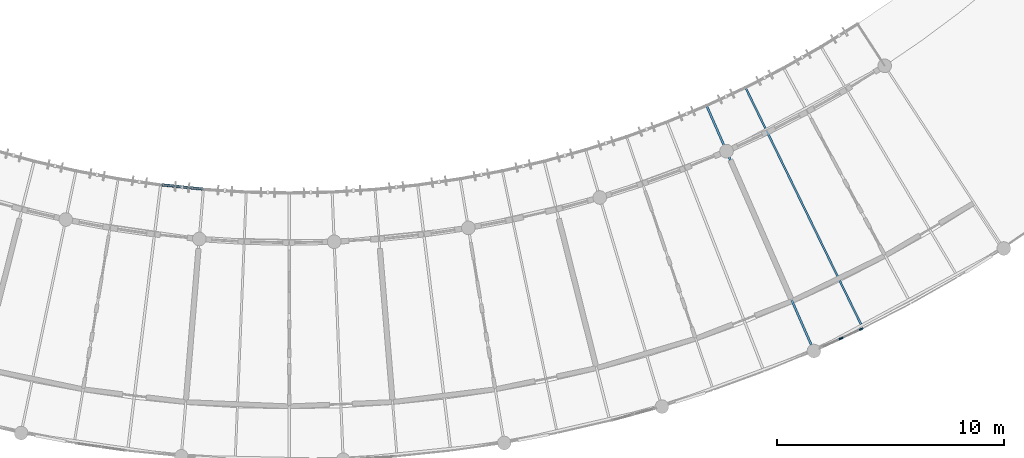
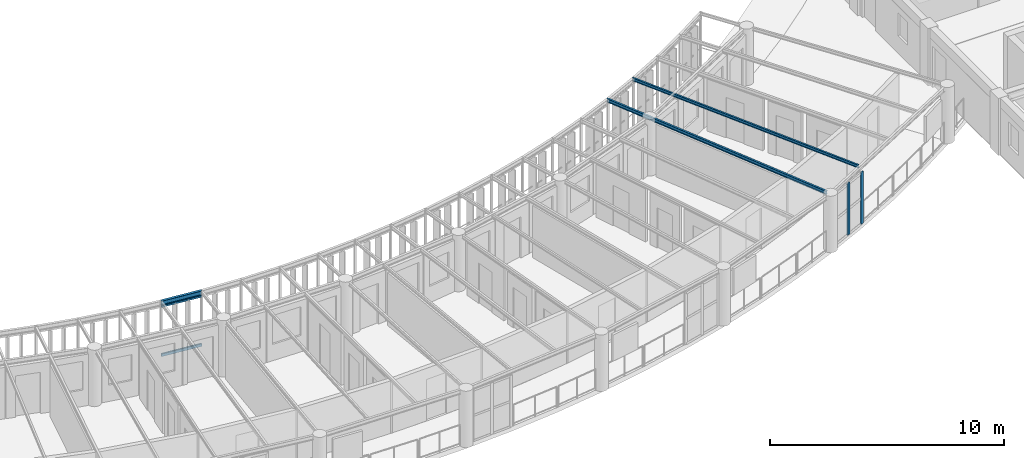
# One storey, part 18 of 101: 4 members, 3 beams, 1 element without a shape of its own.
"""IFC4 building model written with IfcOpenShell, lengths in metres."""

from ifc_helpers import new_model, si_unit, direction, frame, origin, origin_2d, place, context, subcontext, project, spatial, rectangle, hollow_rectangle, i_section, extrude, material, layer, layer_set, material_profile, profile_set, type_object, element, aggregate, save


model = new_model("IFC4")

# Units and contexts
model_context = context("Model", 3, precision=1e-05, world=origin(), true_north=direction((0.0, 1.0)))
body_context = subcontext(model_context, "Body", "Model", "MODEL_VIEW")
ifc_project = project(units=[si_unit("LENGTHUNIT", "METRE"), si_unit("AREAUNIT", "SQUARE_METRE"), si_unit("VOLUMEUNIT", "CUBIC_METRE"), si_unit("PLANEANGLEUNIT", "RADIAN"), si_unit("MASSUNIT", "GRAM", prefix="KILO"), si_unit("POWERUNIT", "WATT"), si_unit("THERMODYNAMICTEMPERATUREUNIT", "KELVIN")], contexts=[model_context])

# Site, building, storey
site_placement = place(None, origin())
site = spatial("IfcSite", under=ifc_project, at=site_placement, CompositionType="ELEMENT")
building_placement = place(site_placement, origin())
building = spatial("IfcBuilding", under=site, at=building_placement, Name="Ruvembo Vaulted Housing Court", CompositionType="ELEMENT")
storey_placement = place(building_placement, frame((0.0, 0.0, 17.300048828125)))
storey = spatial("IfcBuildingStorey", under=building, at=storey_placement, Name="L05", CompositionType="ELEMENT", Elevation=17.300048828125)

# Beams
ifc_material_1 = material(Name="Steel S355J2", Category="steel")
ifc_material_profile_1 = material_profile(ifc_material_1, i_section(OverallWidth=0.08203125, OverallDepth=0.159912109375, WebThickness=0.0048828125, FlangeThickness=0.00732421875, FilletRadius=0.009033203125, at=origin_2d()), Name="IPE 160")
ifc_profile_set_1 = profile_set([ifc_material_profile_1], Name="Steel S355J2")
beam_type_1 = type_object("IfcBeamType", Name="BM-ST-IPE160", PredefinedType="JOIST", material=ifc_profile_set_1)
beam_1_placement = place(storey_placement, frame((94.163818359375, 10.406494140625, 2.85205078125), z_axis=(-0.438376534448, 0.898791418542, 0.0), x_axis=(-0.898791418542, -0.438376534448, 0.0)))
element("IfcBeam", 1, at=beam_1_placement, inside=storey, type_object=beam_type_1, Name="Scoop SC2 L05 Radial Steel Joist 25", PredefinedType="JOIST", context=body_context, shape_type="SweptSolid", body=[
    extrude(i_section(OverallWidth=0.08203125, OverallDepth=0.159912109375, WebThickness=0.0048828125, FlangeThickness=0.00732421875, FilletRadius=0.009033203125, at=origin_2d()), origin(), (0.0, 0.0, 1.0), 11.64306640625),
])
ifc_material_profile_2 = material_profile(ifc_material_1, i_section(OverallWidth=0.091064453125, OverallDepth=0.179931640625, WebThickness=0.00537109375, FlangeThickness=0.008056640625, FilletRadius=0.009033203125, at=origin_2d()), Name="IPE 180")
ifc_profile_set_2 = profile_set([ifc_material_profile_2], Name="Steel S355J2")
beam_type_2 = type_object("IfcBeamType", Name="BM-ST-IPE180", PredefinedType="JOIST", material=ifc_profile_set_2)
beam_2_placement = place(storey_placement, frame((92.017333984375, 9.40625, 2.842041015625), z_axis=(-0.400918873169, 0.916113561267, 0.0), x_axis=(-0.916113561267, -0.400918873169, 0.0)))
element("IfcBeam", 2, at=beam_2_placement, inside=storey, type_object=beam_type_2, Name="Scoop SC2 L05 Radial Steel Joist 24", PredefinedType="JOIST", context=body_context, shape_type="SweptSolid", body=[
    extrude(i_section(OverallWidth=0.091064453125, OverallDepth=0.179931640625, WebThickness=0.00537109375, FlangeThickness=0.008056640625, FilletRadius=0.009033203125, at=origin_2d()), origin(), (0.0, 0.0, 1.0), 11.64990234375),
])
ifc_material_profile_3 = material_profile(ifc_material_1, i_section(OverallWidth=0.1201171875, OverallDepth=0.239990234375, WebThickness=0.006103515625, FlangeThickness=0.009765625, FilletRadius=0.014892578125, at=origin_2d()), Name="IPE 240")
ifc_profile_set_3 = profile_set([ifc_material_profile_3], Name="Steel S355J2")
beam_type_3 = type_object("IfcBeamType", Name="BM-ST-IPE240", PredefinedType="BEAM", material=ifc_profile_set_3)
beam_3_placement = place(storey_placement, frame((63.34619140625, 16.55029296875, 2.81201171875), z_axis=(0.994683125416, -0.10298291127, 0.0), x_axis=(0.10298291127, 0.994683125416, 0.0)))
element("IfcBeam", 3, at=beam_3_placement, inside=storey, type_object=beam_type_3, Name="Scoop SC2 L05 Balcony Edge Spandrel 11", PredefinedType="BEAM", context=body_context, shape_type="SweptSolid", body=[
    extrude(i_section(OverallWidth=0.1201171875, OverallDepth=0.239990234375, WebThickness=0.006103515625, FlangeThickness=0.009765625, FilletRadius=0.014892578125, at=origin_2d()), origin(), (0.0, 0.0, 1.0), 1.889404296875),
])

# Curtain wall, members
ifc_material_2 = material(Name="Anodised Aluminium and Solar-Control Glass", Category="aluminium")
ifc_layer = layer(ifc_material_2, 0.139892578125, Name="Anodised Aluminium and Solar-Control Glass")
ifc_layer_set = layer_set([ifc_layer], Name="Anodised Aluminium and Solar-Control Glass")
curtain_wall_type = type_object("IfcCurtainWallType", Name="CW-SCOOP-PAN", PredefinedType="NOTDEFINED", material=ifc_layer_set)
curtain_wall_placement = place(storey_placement, origin())
curtain_wall = element("IfcCurtainWall", 4, at=curtain_wall_placement, inside=storey, type_object=curtain_wall_type, Name="L05 Curtain Wall CW-L05-0058", PredefinedType="NOTDEFINED")
ifc_material_3 = material(Name="Anodised Aluminium 6063-T6", Category="aluminium")
ifc_material_profile_4 = material_profile(ifc_material_3, rectangle(XDim=0.06494140625, YDim=0.179931640625, at=origin_2d()), Name="ALU 65x180")
ifc_profile_set_4 = profile_set([ifc_material_profile_4], Name="Anodised Aluminium 6063-T6")
member_type_1 = type_object("IfcMemberType", Name="CW-MUL-65x180", PredefinedType="MULLION", material=ifc_profile_set_4)
member_1_placement = place(storey_placement, frame((93.285400390625, 9.783203125, 0.0), z_axis=(0.0, 0.0, 1.0), x_axis=(-0.419740403325, 0.907644200013, 0.0)))
member_1 = element("IfcMember", 5, at=member_1_placement, type_object=member_type_1, Name="CW10 mullion 2", PredefinedType="MULLION", context=body_context, shape_type="SweptSolid", body=[
    extrude(rectangle(XDim=0.06494140625, YDim=0.179931640625, at=origin_2d()), origin(), (0.0, 0.0, 1.0), 2.68994140625),
])
member_2_placement = place(storey_placement, frame((94.17529296875, 10.19482421875, 0.0), z_axis=(0.0, 0.0, 1.0), x_axis=(-0.419740403325, 0.907644200013, 0.0)))
member_2 = element("IfcMember", 6, at=member_2_placement, type_object=member_type_1, Name="CW10 mullion 3", PredefinedType="MULLION", context=body_context, shape_type="SweptSolid", body=[
    extrude(rectangle(XDim=0.06494140625, YDim=0.179931640625, at=origin_2d()), origin(), (0.0, 0.0, 1.0), 2.68994140625),
])
aggregate(curtain_wall, [member_1, member_2])

# Members
ifc_material_profile_5 = material_profile(ifc_material_1, hollow_rectangle(XDim=0.06005859375, YDim=0.1201171875, WallThickness=0.0048828125, InnerFilletRadius=0.0048828125, OuterFilletRadius=0.010009765625, at=origin_2d()), Name="RHS 120x60x5")
ifc_profile_set_5 = profile_set([ifc_material_profile_5], Name="Steel S355J2")
member_type_2 = type_object("IfcMemberType", Name="MEM-CAR-RHS120", PredefinedType="CHORD", material=ifc_profile_set_5)
member_3_placement = place(storey_placement, frame((63.34619140625, 16.55029296875, 2.635009765625), z_axis=(0.994683125416, -0.10298291127, 0.0), x_axis=(0.10298291127, 0.994683125416, 0.0)))
element("IfcMember", 7, at=member_3_placement, inside=storey, type_object=member_type_2, Name="Scoop SC2 L05 Upper Louvre Carrier Rail 11", PredefinedType="CHORD", context=body_context, shape_type="SweptSolid", body=[
    extrude(hollow_rectangle(XDim=0.06005859375, YDim=0.1201171875, WallThickness=0.0048828125, InnerFilletRadius=0.0048828125, OuterFilletRadius=0.010009765625, at=origin_2d()), origin(), (0.0, 0.0, 1.0), 1.889404296875),
])
ifc_material_profile_6 = material_profile(ifc_material_1, hollow_rectangle(XDim=0.080078125, YDim=0.14990234375, WallThickness=0.00634765625, InnerFilletRadius=0.00634765625, OuterFilletRadius=0.0126953125, at=origin_2d()), Name="RHS 150x80x6.3")
ifc_profile_set_6 = profile_set([ifc_material_profile_6], Name="Steel S355J2")
member_type_3 = type_object("IfcMemberType", Name="MEM-CAR-RHS150", PredefinedType="CHORD", material=ifc_profile_set_6)
member_4_placement = place(storey_placement, frame((63.34619140625, 16.55029296875, 0.094970703125), z_axis=(0.994683125416, -0.10298291127, 0.0), x_axis=(0.10298291127, 0.994683125416, 0.0)))
element("IfcMember", 8, at=member_4_placement, inside=storey, type_object=member_type_3, Name="Scoop SC2 L05 Lower Louvre Carrier Rail 11", PredefinedType="CHORD", context=body_context, shape_type="SweptSolid", body=[
    extrude(hollow_rectangle(XDim=0.080078125, YDim=0.14990234375, WallThickness=0.00634765625, InnerFilletRadius=0.00634765625, OuterFilletRadius=0.0126953125, at=origin_2d()), origin(), (0.0, 0.0, 1.0), 1.889404296875),
])

save(model, "model.ifc")
